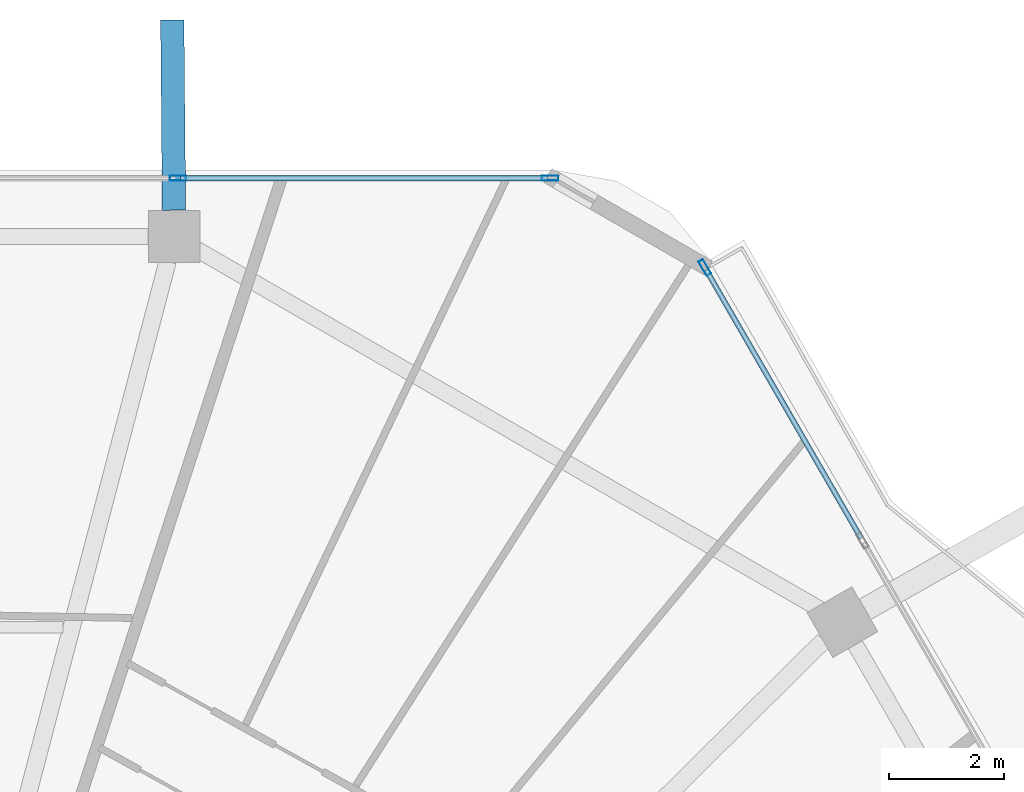
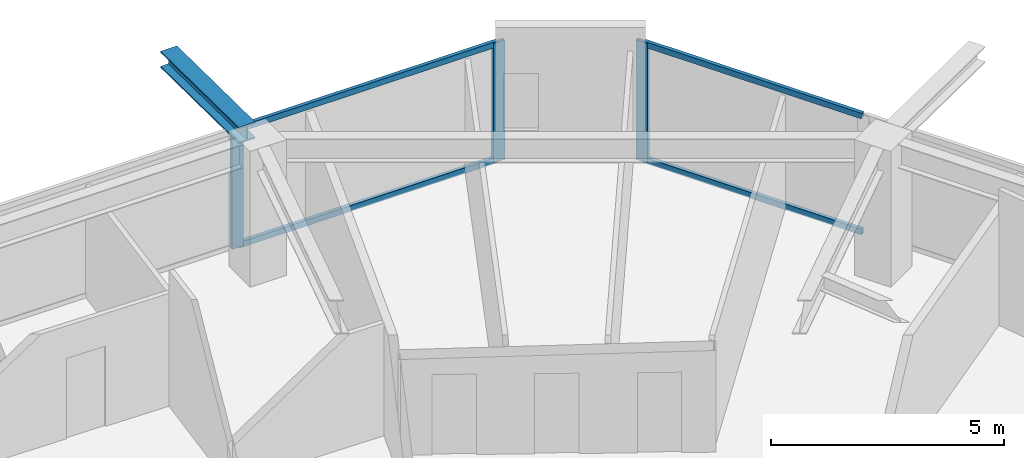
# One storey, part 16 of 26: 7 members, 1 beam, 2 elements without a shape of their own.
"""IFC4 building model written with IfcOpenShell, lengths in metres."""

from ifc_helpers import new_model, si_unit, direction, frame, origin, origin_2d, place, context, subcontext, project, spatial, hollow_rectangle, i_section, extrude, material, material_profile, profile_set, type_object, element, aggregate, save


model = new_model("IFC4")

# Units and contexts
model_context = context("Model", 3, precision=1e-05, world=origin(), true_north=direction((0.0, 1.0)))
body_context = subcontext(model_context, "Body", "Model", "MODEL_VIEW")
ifc_project = project(units=[si_unit("LENGTHUNIT", "METRE"), si_unit("AREAUNIT", "SQUARE_METRE"), si_unit("VOLUMEUNIT", "CUBIC_METRE"), si_unit("PLANEANGLEUNIT", "RADIAN"), si_unit("MASSUNIT", "GRAM", prefix="KILO")], contexts=[model_context])

# Site, building, storey
site_placement = place(None, origin())
site = spatial("IfcSite", under=ifc_project, at=site_placement, CompositionType="ELEMENT")
building_placement = place(site_placement, origin())
building = spatial("IfcBuilding", under=site, at=building_placement, Name="Zuhravey Tower", CompositionType="ELEMENT")
storey_placement = place(building_placement, frame((0.0, 0.0, 250.199951171875)))
storey = spatial("IfcBuildingStorey", under=building, at=storey_placement, Name="L63", CompositionType="ELEMENT", Elevation=250.199951171875)

# Curtain wall, members
ifc_material_1 = material(Name="Thermally broken anodised aluminium", Category="aluminium")
curtain_wall_type = type_object("IfcCurtainWallType", Name="Zone 3-4 High-Rise Curtain Wall CW4", PredefinedType="NOTDEFINED", material=ifc_material_1)
curtain_wall_1_placement = place(storey_placement, origin())
curtain_wall_1 = element("IfcCurtainWall", 1, at=curtain_wall_1_placement, inside=storey, type_object=curtain_wall_type, Name="L63 CW4 CW-L63-F2-1", PredefinedType="NOTDEFINED")
ifc_material_2 = material(Name="Anodised aluminium", Category="aluminium")
ifc_material_profile_1 = material_profile(ifc_material_2, hollow_rectangle(XDim=0.090087890625, YDim=0.284912109375, WallThickness=0.0048828125, at=origin_2d()), Name="ALU-RHS-90x285x5")
ifc_profile_set_1 = profile_set([ifc_material_profile_1], Name="Anodised aluminium")
member_type_1 = type_object("IfcMemberType", Name="Curtain-Wall Mullion 90x180", PredefinedType="MULLION", material=ifc_profile_set_1)
member_1_placement = place(storey_placement, frame((42.50634765625, 57.563720703125, 0.0), z_axis=(0.0, 0.0, 1.0), x_axis=(0.0, 1.0, 0.0)))
member_1 = element("IfcMember", 2, at=member_1_placement, type_object=member_type_1, Name="CW4 mullion 4", PredefinedType="MULLION", context=body_context, shape_type="SweptSolid", body=[
    extrude(hollow_rectangle(XDim=0.090087890625, YDim=0.284912109375, WallThickness=0.0048828125, at=origin_2d()), origin(), (0.0, 0.0, 1.0), 3.1220703125),
])
member_2_placement = place(storey_placement, frame((48.9677734375, 57.563720703125, 0.0), z_axis=(0.0, 0.0, 1.0), x_axis=(0.0, 1.0, 0.0)))
member_2 = element("IfcMember", 3, at=member_2_placement, type_object=member_type_1, Name="CW4 mullion 5", PredefinedType="MULLION", context=body_context, shape_type="SweptSolid", body=[
    extrude(hollow_rectangle(XDim=0.090087890625, YDim=0.284912109375, WallThickness=0.0048828125, at=origin_2d()), origin(), (0.0, 0.0, 1.0), 3.1220703125),
])

# Curtain wall, member
curtain_wall_2_placement = place(storey_placement, origin())
curtain_wall_2 = element("IfcCurtainWall", 4, at=curtain_wall_2_placement, inside=storey, type_object=curtain_wall_type, Name="L63 CW4 CW-L63-F1-1", PredefinedType="NOTDEFINED")
member_3_placement = place(storey_placement, frame((51.65478515625, 56.01220703125, 0.0), z_axis=(0.0, 0.0, 1.0), x_axis=(0.866025688098, 0.499999507553, 0.0)))
member_3 = element("IfcMember", 5, at=member_3_placement, type_object=member_type_1, Name="CW4 mullion 1", PredefinedType="MULLION", context=body_context, shape_type="SweptSolid", body=[
    extrude(hollow_rectangle(XDim=0.090087890625, YDim=0.284912109375, WallThickness=0.0048828125, at=origin_2d()), origin(), (0.0, 0.0, 1.0), 3.1220703125),
])

# Member
ifc_material_profile_2 = material_profile(ifc_material_2, hollow_rectangle(XDim=0.090087890625, YDim=0.14990234375, WallThickness=0.0048828125, at=origin_2d()), Name="ALU-RHS-90x150x5")
ifc_profile_set_2 = profile_set([ifc_material_profile_2], Name="Anodised aluminium")
member_type_2 = type_object("IfcMemberType", Name="Curtain-Wall Transom 90x150", PredefinedType="USERDEFINED", material=ifc_profile_set_2)
member_4_placement = place(storey_placement, frame((42.55126953125, 57.563720703125, 0.045166015625), z_axis=(1.0, 0.0, 0.0), x_axis=(0.0, 1.0, 0.0)))
member_4 = element("IfcMember", 6, at=member_4_placement, type_object=member_type_2, Name="CW4 transom 4.1", ObjectType="TRANSOM", PredefinedType="USERDEFINED", context=body_context, shape_type="SweptSolid", body=[
    extrude(hollow_rectangle(XDim=0.090087890625, YDim=0.14990234375, WallThickness=0.0048828125, at=origin_2d()), origin(), (0.0, 0.0, 1.0), 6.371337890625),
])

member_5_placement = place(storey_placement, frame((42.55126953125, 57.563720703125, 3.0771484375), z_axis=(1.0, 0.0, 0.0), x_axis=(0.0, 1.0, 0.0)))
member_5 = element("IfcMember", 7, at=member_5_placement, type_object=member_type_2, Name="CW4 transom 4.2", ObjectType="TRANSOM", PredefinedType="USERDEFINED", context=body_context, shape_type="SweptSolid", body=[
    extrude(hollow_rectangle(XDim=0.090087890625, YDim=0.14990234375, WallThickness=0.0048828125, at=origin_2d()), origin(), (0.0, 0.0, 1.0), 6.371337890625),
])

aggregate(curtain_wall_1, [member_1, member_2, member_4, member_5])

member_6_placement = place(storey_placement, frame((51.677490234375, 55.97314453125, 0.045166015625), z_axis=(0.500001105423, -0.866024765567, 0.0), x_axis=(0.866024765567, 0.500001105423, 0.0)))
member_6 = element("IfcMember", 8, at=member_6_placement, type_object=member_type_2, Name="CW4 transom 1.1", ObjectType="TRANSOM", PredefinedType="USERDEFINED", context=body_context, shape_type="SweptSolid", body=[
    extrude(hollow_rectangle(XDim=0.090087890625, YDim=0.14990234375, WallThickness=0.0048828125, at=origin_2d()), origin(), (0.0, 0.0, 1.0), 5.384765625),
])

member_7_placement = place(storey_placement, frame((51.677490234375, 55.97314453125, 3.0771484375), z_axis=(0.500001105423, -0.866024765567, 0.0), x_axis=(0.866024765567, 0.500001105423, 0.0)))
member_7 = element("IfcMember", 9, at=member_7_placement, type_object=member_type_2, Name="CW4 transom 1.2", ObjectType="TRANSOM", PredefinedType="USERDEFINED", context=body_context, shape_type="SweptSolid", body=[
    extrude(hollow_rectangle(XDim=0.090087890625, YDim=0.14990234375, WallThickness=0.0048828125, at=origin_2d()), origin(), (0.0, 0.0, 1.0), 5.384765625),
])

aggregate(curtain_wall_2, [member_3, member_6, member_7])

# Beam
ifc_material_3 = material(Name="Steel SM460", Category="steel")
ifc_material_profile_3 = material_profile(ifc_material_3, i_section(OverallWidth=0.406982421875, OverallDepth=0.427978515625, WebThickness=0.02001953125, FlangeThickness=0.034912109375, at=origin_2d()), Name="H-428x407x20x35")
ifc_profile_set_3 = profile_set([ifc_material_profile_3], Name="Steel SM460")
beam_type = type_object("IfcBeamType", Name="Exoskeleton Node Tie Beam H428x407", PredefinedType="BEAM", material=ifc_profile_set_3)
beam_placement = place(storey_placement, frame((42.43701171875, 57.007568359375, 3.3359375), z_axis=(-0.008874733692, 0.999960618776, 0.0), x_axis=(-0.999960618776, -0.008874733692, 0.0)))
element("IfcBeam", 10, at=beam_placement, inside=storey, type_object=beam_type, Name="L63 Exoskeleton Node Tie NT1-03", PredefinedType="BEAM", context=body_context, shape_type="SweptSolid", body=[
    extrude(i_section(OverallWidth=0.406982421875, OverallDepth=0.427978515625, WebThickness=0.02001953125, FlangeThickness=0.034912109375, at=origin_2d()), origin(), (0.0, 0.0, 1.0), 3.30126953125),
])

save(model, "model.ifc")
